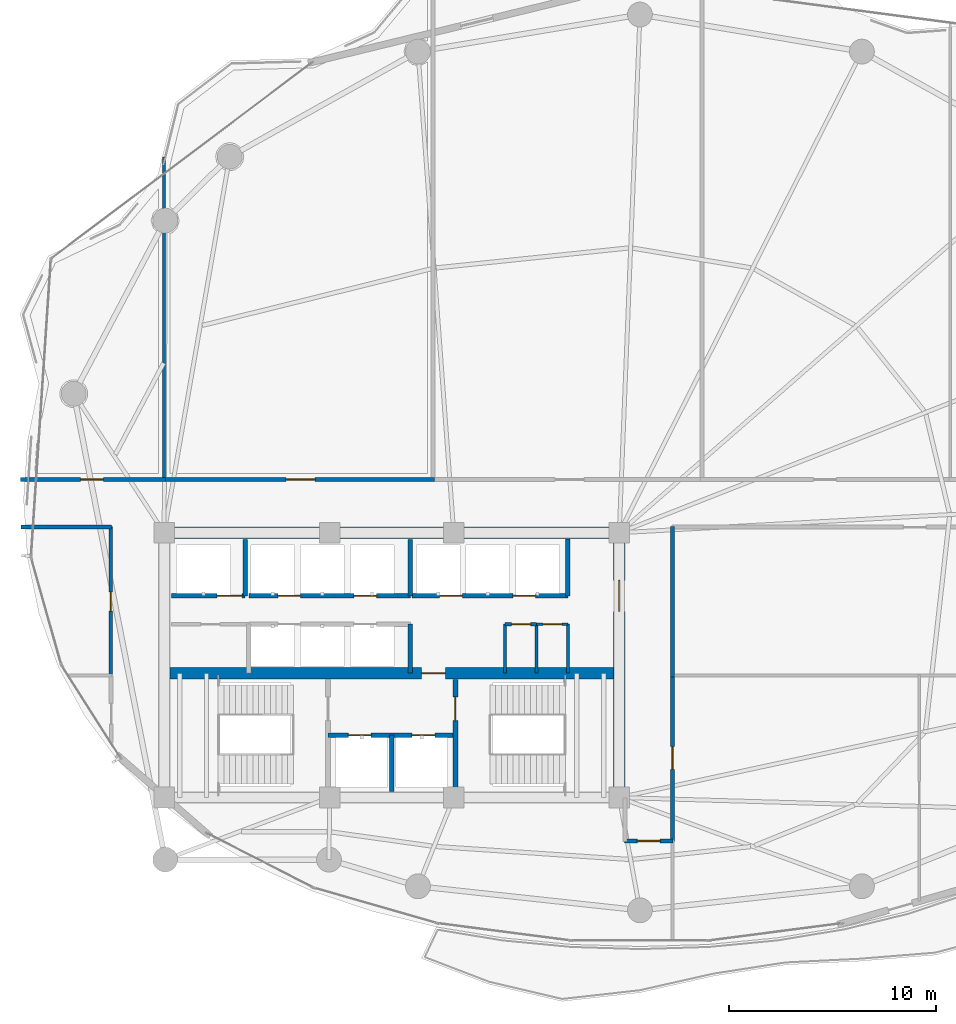
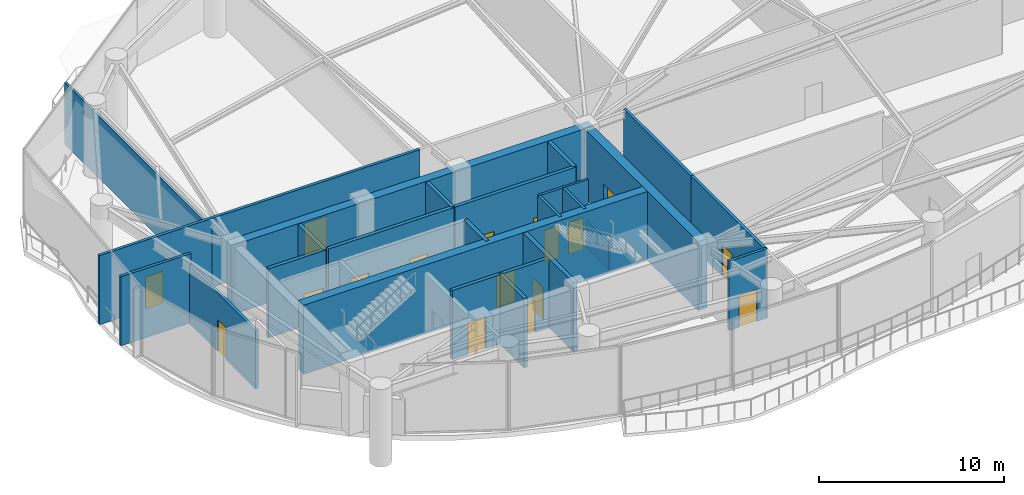
# One storey, part 25 of 30: 26 walls, 17 doors, 17 openings.
"""IFC4 building model written with IfcOpenShell, lengths in metres."""

from ifc_helpers import new_model, si_unit, direction, frame, frame_2d, origin, place, context, subcontext, project, spatial, rectangle, extrude, material, layer, layer_set, type_object, element, fill, save


model = new_model("IFC4")

# Units and contexts
model_context = context("Model", 3, precision=1e-05, world=origin(), true_north=direction((0.0, 1.0)))
body_context = subcontext(model_context, "Body", "Model", "MODEL_VIEW")
ifc_project = project(units=[si_unit("LENGTHUNIT", "METRE"), si_unit("AREAUNIT", "SQUARE_METRE"), si_unit("VOLUMEUNIT", "CUBIC_METRE"), si_unit("PLANEANGLEUNIT", "RADIAN"), si_unit("MASSUNIT", "GRAM", prefix="KILO")], contexts=[model_context])

# Site, building, storey
site_placement = place(None, origin())
site = spatial("IfcSite", under=ifc_project, at=site_placement, CompositionType="ELEMENT")
building_placement = place(site_placement, origin())
building = spatial("IfcBuilding", under=site, at=building_placement, Name="Kazevale Care Tower and Concert Hall", CompositionType="ELEMENT")
storey_placement = place(building_placement, frame((0.0, 0.0, 97.800048828125)))
storey = spatial("IfcBuildingStorey", under=building, at=storey_placement, Name="L25", CompositionType="ELEMENT", Elevation=97.800048828125)

# Wall
ifc_material_1 = material(Name="Acoustic Gypsum on Steel Stud", Category="steel")
ifc_layer_1 = layer(ifc_material_1, 0.139892578125)
ifc_layer_set_1 = layer_set([ifc_layer_1], Name="Acoustic Gypsum on Steel Stud")
wall_type_1 = type_object("IfcWallType", Name="Acoustic Care & Suite Partition 140", PredefinedType="PARTITIONING", material=ifc_layer_set_1)
wall_1_placement = place(storey_placement, frame((41.52001953125, 29.6201171875, 0.0), z_axis=(0.0, 0.0, 1.0), x_axis=(0.0, 1.0, 0.0)))
element("IfcWall", 1, at=wall_1_placement, inside=storey, type_object=wall_type_1, Name="wall:L25:ka_ee", PredefinedType="PARTITIONING", context=body_context, shape_type="SweptSolid", body=[
    extrude(rectangle(XDim=2.35986328125, YDim=0.139892578125, at=frame_2d((1.179931640625, 0.0))), origin(), (0.0, 0.0, 1.0), 1.886962890625),
])

# Wall, opening, door
wall_2_placement = place(storey_placement, frame((40.0, 31.97998046875, 0.0), z_axis=(0.0, 0.0, 1.0), x_axis=(1.0, 0.0, 0.0)))
wall_2 = element("IfcWall", 2, at=wall_2_placement, inside=storey, type_object=wall_type_1, Name="wall:L25:ka_en2", PredefinedType="PARTITIONING", context=body_context, shape_type="SweptSolid", body=[
    extrude(rectangle(XDim=1.52001953125, YDim=0.139892578125, at=frame_2d((0.760009765625, 0.0))), origin(), (0.0, 0.0, 1.0), 4.56005859375),
])
opening_1_placement = place(wall_2_placement, frame((0.320068359375, 0.0, 0.0)))
opening_1 = element("IfcOpeningElement", 3, at=opening_1_placement, cuts=wall_2, Name="Opening ID-900", PredefinedType="OPENING", context=body_context, shape_type="SweptSolid", body=[
    extrude(rectangle(XDim=0.919921875, YDim=2.10009765625, at=frame_2d((0.4599609375, 1.050048828125))), frame((0.0, 0.079833984375, 0.0), z_axis=(0.0, -1.0, 0.0), x_axis=(1.0, 0.0, 0.0)), (0.0, 0.0, 1.0), 0.159912109375),
])
ifc_material_2 = material(Name="Oak Timber Fire Leaf", Category="wood")
door_type_1 = type_object("IfcDoorType", Name="Bathroom & Service Door 920x2100", OperationType="NOTDEFINED", PredefinedType="DOOR", material=ifc_material_2)
door_1_placement = place(opening_1_placement, origin())
door_1 = element("IfcDoor", 4, at=door_1_placement, inside=storey, type_object=door_type_1, Name="door:L25:d_kae2", OperationType="SINGLE_SWING_RIGHT", OverallHeight=2.10009765625, OverallWidth=0.919921875, PredefinedType="DOOR", context=body_context, shape_type="SweptSolid", body=[
    extrude(rectangle(XDim=0.919921875, YDim=2.10009765625, at=frame_2d((0.4599609375, 1.050048828125))), frame((0.0, 0.02490234375, 0.0), z_axis=(0.0, -1.0, 0.0), x_axis=(1.0, 0.0, 0.0)), (0.0, 0.0, 1.0), 0.050048828125),
])
fill(opening_1, door_1)

# Walls
wall_3_placement = place(storey_placement, frame((22.0, 54.55810546875, 0.0), z_axis=(0.0, 0.0, 1.0), x_axis=(0.0, -1.0, 0.0)))
element("IfcWall", 5, at=wall_3_placement, inside=storey, type_object=wall_type_1, Name="wall:L25:auto_015", PredefinedType="PARTITIONING", context=body_context, shape_type="SweptSolid", body=[
    extrude(rectangle(XDim=15.613037109375, YDim=0.139892578125, at=frame_2d((7.806640625, 0.0))), origin(), (0.0, 0.0, 1.0), 4.08984375),
])
ifc_material_3 = material(Name="Concrete C60", Category="concrete")
ifc_layer_2 = layer(ifc_material_3, 0.550048828125)
ifc_layer_set_2 = layer_set([ifc_layer_2], Name="Concrete C60")
wall_type_2 = type_object("IfcWallType", Name="Core Shear Wall 550 C60", PredefinedType="SHEAR", material=ifc_layer_set_2)
wall_4_placement = place(storey_placement, frame((21.72509765625, 36.39990234375, 0.0), z_axis=(0.0, 0.0, 1.0), x_axis=(1.0, 0.0, 0.0)))
element("IfcWall", 6, at=wall_4_placement, inside=storey, type_object=wall_type_2, Name="wall:L25:core:N", PredefinedType="SHEAR", context=body_context, shape_type="SweptSolid", body=[
    extrude(rectangle(XDim=22.5498046875, YDim=0.550048828125, at=frame_2d((11.27490234375, 0.0))), origin(), (0.0, 0.0, 1.0), 4.56005859375),
])

# Wall, opening, door
wall_5_placement = place(storey_placement, frame((44.0, 23.875, 0.0), z_axis=(0.0, 0.0, 1.0), x_axis=(0.0, 1.0, 0.0)))
wall_5 = element("IfcWall", 7, at=wall_5_placement, inside=storey, type_object=wall_type_2, Name="wall:L25:core:E", PredefinedType="SHEAR", context=body_context, shape_type="SweptSolid", body=[
    extrude(rectangle(XDim=12.25, YDim=0.550048828125, at=frame_2d((6.125, 0.0))), origin(), (0.0, 0.0, 1.0), 4.56005859375),
])
opening_2_placement = place(wall_5_placement, frame((8.72509765625, 0.0, 0.0)))
opening_2 = element("IfcOpeningElement", 8, at=opening_2_placement, cuts=wall_5, Name="Opening FD-60D", PredefinedType="OPENING", context=body_context, shape_type="SweptSolid", body=[
    extrude(rectangle(XDim=1.5, YDim=2.14990234375, at=frame_2d((0.75, 1.074951171875))), frame((0.0, 0.284912109375, 0.0), z_axis=(0.0, -1.0, 0.0), x_axis=(1.0, 0.0, 0.0)), (0.0, 0.0, 1.0), 0.570068359375),
])
door_type_2 = type_object("IfcDoorType", Name="Double Lobby & Auditorium Fire Door 1500x2150", OperationType="NOTDEFINED", PredefinedType="DOOR", material=ifc_material_2)
door_2_placement = place(opening_2_placement, origin())
door_2 = element("IfcDoor", 9, at=door_2_placement, inside=storey, type_object=door_type_2, Name="door:L25:core_east_out", OperationType="DOUBLE_DOOR_SINGLE_SWING", OverallHeight=2.14990234375, OverallWidth=1.5, PredefinedType="DOOR", context=body_context, shape_type="SweptSolid", body=[
    extrude(rectangle(XDim=1.5, YDim=2.14990234375, at=frame_2d((0.75, 1.074951171875))), frame((0.0, 0.02490234375, 0.0), z_axis=(0.0, -1.0, 0.0), x_axis=(1.0, 0.0, 0.0)), (0.0, 0.0, 1.0), 0.050048828125),
])
fill(opening_2, door_2)

wall_6_placement = place(storey_placement, frame((22.27490234375, 29.60009765625, 0.0), z_axis=(0.0, 0.0, 1.0), x_axis=(1.0, 0.0, 0.0)))
wall_6 = element("IfcWall", 10, at=wall_6_placement, inside=storey, type_object=wall_type_2, Name="wall:L25:core:M", PredefinedType="SHEAR", context=body_context, shape_type="SweptSolid", body=[
    extrude(rectangle(XDim=21.4501953125, YDim=0.550048828125, at=frame_2d((10.72509765625, 0.0))), origin(), (0.0, 0.0, 1.0), 4.56005859375),
])
opening_3_placement = place(wall_6_placement, frame((12.175048828125, 0.0, 0.0)))
opening_3 = element("IfcOpeningElement", 11, at=opening_3_placement, cuts=wall_6, Name="Opening FD-90", PredefinedType="OPENING", context=body_context, shape_type="SweptSolid", body=[
    extrude(rectangle(XDim=1.14990234375, YDim=2.10009765625, at=frame_2d((0.574951171875, 1.050048828125))), frame((0.0, 0.284912109375, 0.0), z_axis=(0.0, -1.0, 0.0), x_axis=(1.0, 0.0, 0.0)), (0.0, 0.0, 1.0), 0.570068359375),
])
ifc_material_4 = material(Name="Steel ASTM A572 Gr 50", Category="steel")
door_type_3 = type_object("IfcDoorType", Name="Pressurized Stair & Lobby Fire Door 1150x2100", OperationType="NOTDEFINED", PredefinedType="DOOR", material=ifc_material_4)
door_3_placement = place(opening_3_placement, origin())
door_3 = element("IfcDoor", 12, at=door_3_placement, inside=storey, type_object=door_type_3, Name="door:L25:ff_to_pax", OperationType="SINGLE_SWING_LEFT", OverallHeight=2.10009765625, OverallWidth=1.14990234375, PredefinedType="DOOR", context=body_context, shape_type="SweptSolid", body=[
    extrude(rectangle(XDim=1.14990234375, YDim=2.10009765625, at=frame_2d((0.574951171875, 1.050048828125))), frame((0.0, 0.02490234375, 0.0), z_axis=(0.0, -1.0, 0.0), x_axis=(1.0, 0.0, 0.0)), (0.0, 0.0, 1.0), 0.050048828125),
])
fill(opening_3, door_3)

# Wall, openings, doors
ifc_material_5 = material(Name="Concrete C40", Category="concrete")
ifc_layer_3 = layer(ifc_material_5, 0.219970703125)
ifc_layer_set_3 = layer_set([ifc_layer_3], Name="Concrete C40")
wall_type_3 = type_object("IfcWallType", Name="Elevator Hoistway Shaft Wall 220", PredefinedType="SOLIDWALL", material=ifc_layer_set_3)
wall_7_placement = place(storey_placement, frame((29.919921875, 26.6201171875, 0.0), z_axis=(0.0, 0.0, 1.0), x_axis=(1.0, 0.0, 0.0)))
wall_7 = element("IfcWall", 13, at=wall_7_placement, inside=storey, type_object=wall_type_3, Name="wall:L25:c_ffl_n", PredefinedType="SOLIDWALL", context=body_context, shape_type="SweptSolid", body=[
    extrude(rectangle(XDim=6.16015625, YDim=0.219970703125, at=frame_2d((3.080078125, 0.0))), origin(), (0.0, 0.0, 1.0), 4.56005859375),
])
opening_4_placement = place(wall_7_placement, frame((0.989990234375, 0.0, 0.0)))
opening_4 = element("IfcOpeningElement", 14, at=opening_4_placement, cuts=wall_7, Name="Opening LD-FF", PredefinedType="OPENING", context=body_context, shape_type="SweptSolid", body=[
    extrude(rectangle(XDim=1.10009765625, YDim=2.10009765625, at=frame_2d((0.550048828125, 1.050048828125))), frame((0.0, 0.119873046875, 0.0), z_axis=(0.0, -1.0, 0.0), x_axis=(1.0, 0.0, 0.0)), (0.0, 0.0, 1.0), 0.239990234375),
])
opening_5_placement = place(wall_7_placement, frame((4.070068359375, 0.0, 0.0)))
opening_5 = element("IfcOpeningElement", 15, at=opening_5_placement, cuts=wall_7, Name="Opening LD-FF", PredefinedType="OPENING", context=body_context, shape_type="SweptSolid", body=[
    extrude(rectangle(XDim=1.10009765625, YDim=2.10009765625, at=frame_2d((0.550048828125, 1.050048828125))), frame((0.0, 0.119873046875, 0.0), z_axis=(0.0, -1.0, 0.0), x_axis=(1.0, 0.0, 0.0)), (0.0, 0.0, 1.0), 0.239990234375),
])
ifc_material_6 = material(Name="Stainless Steel 316", Category="steel")
door_type_4 = type_object("IfcDoorType", Name="Emergency Lift Sliding Landing Door 1100x2100", OperationType="NOTDEFINED", PredefinedType="DOOR", material=ifc_material_6)
door_4_placement = place(opening_4_placement, origin())
door_4 = element("IfcDoor", 16, at=door_4_placement, inside=storey, type_object=door_type_4, Name="door:L25:ld_ffl1", OperationType="SLIDING_TO_LEFT", OverallHeight=2.10009765625, OverallWidth=1.10009765625, PredefinedType="DOOR", context=body_context, shape_type="SweptSolid", body=[
    extrude(rectangle(XDim=1.10009765625, YDim=2.10009765625, at=frame_2d((0.550048828125, 1.050048828125))), frame((0.0, 0.02490234375, 0.0), z_axis=(0.0, -1.0, 0.0), x_axis=(1.0, 0.0, 0.0)), (0.0, 0.0, 1.0), 0.050048828125),
])
fill(opening_4, door_4)
door_5_placement = place(opening_5_placement, origin())
door_5 = element("IfcDoor", 17, at=door_5_placement, inside=storey, type_object=door_type_4, Name="door:L25:ld_ffl2", OperationType="SLIDING_TO_RIGHT", OverallHeight=2.10009765625, OverallWidth=1.10009765625, PredefinedType="DOOR", context=body_context, shape_type="SweptSolid", body=[
    extrude(rectangle(XDim=1.10009765625, YDim=2.10009765625, at=frame_2d((0.550048828125, 1.050048828125))), frame((0.0, 0.02490234375, 0.0), z_axis=(0.0, -1.0, 0.0), x_axis=(1.0, 0.0, 0.0)), (0.0, 0.0, 1.0), 0.050048828125),
])
fill(opening_5, door_5)

# Walls
wall_8_placement = place(storey_placement, frame((33.0, 23.89990234375, 0.0), z_axis=(0.0, 0.0, 1.0), x_axis=(0.0, 1.0, 0.0)))
element("IfcWall", 18, at=wall_8_placement, inside=storey, type_object=wall_type_3, Name="wall:L25:c_ffl_m", PredefinedType="SOLIDWALL", context=body_context, shape_type="SweptSolid", body=[
    extrude(rectangle(XDim=2.72021484375, YDim=0.219970703125, at=frame_2d((1.360107421875, 0.0))), origin(), (0.0, 0.0, 1.0), 4.56005859375),
])
wall_9_placement = place(storey_placement, frame((25.919921875, 33.35009765625, 0.0), z_axis=(0.0, 0.0, 1.0), x_axis=(0.0, 1.0, 0.0)))
element("IfcWall", 19, at=wall_9_placement, inside=storey, type_object=wall_type_3, Name="wall:L25:c_svl_e", PredefinedType="SOLIDWALL", context=body_context, shape_type="SweptSolid", body=[
    extrude(rectangle(XDim=2.72998046875, YDim=0.219970703125, at=frame_2d((1.364990234375, 0.0))), origin(), (0.0, 0.0, 1.0), 4.56005859375),
])

# Wall, opening, door
wall_10_placement = place(storey_placement, frame((22.35009765625, 33.35009765625, 0.0), z_axis=(0.0, 0.0, 1.0), x_axis=(1.0, 0.0, 0.0)))
wall_10 = element("IfcWall", 20, at=wall_10_placement, inside=storey, type_object=wall_type_3, Name="wall:L25:c_svl_s", PredefinedType="SOLIDWALL", context=body_context, shape_type="SweptSolid", body=[
    extrude(rectangle(XDim=3.56982421875, YDim=0.219970703125, at=frame_2d((1.784912109375, 0.0))), origin(), (0.0, 0.0, 1.0), 4.56005859375),
])
opening_6_placement = place(wall_10_placement, frame((2.212890625, 0.0, 0.0)))
opening_6 = element("IfcOpeningElement", 21, at=opening_6_placement, cuts=wall_10, Name="Opening LD-SV", PredefinedType="OPENING", context=body_context, shape_type="SweptSolid", body=[
    extrude(rectangle(XDim=1.199951171875, YDim=2.10009765625, at=frame_2d((0.60009765625, 1.050048828125))), frame((0.0, 0.119873046875, 0.0), z_axis=(0.0, -1.0, 0.0), x_axis=(1.0, 0.0, 0.0)), (0.0, 0.0, 1.0), 0.239990234375),
])
door_type_5 = type_object("IfcDoorType", Name="Service Lift Sliding Landing Door 1200x2100", OperationType="NOTDEFINED", PredefinedType="DOOR", material=ifc_material_6)
door_6_placement = place(opening_6_placement, origin())
door_6 = element("IfcDoor", 22, at=door_6_placement, inside=storey, type_object=door_type_5, Name="door:L25:ld_svl1", OperationType="SLIDING_TO_LEFT", OverallHeight=2.10009765625, OverallWidth=1.199951171875, PredefinedType="DOOR", context=body_context, shape_type="SweptSolid", body=[
    extrude(rectangle(XDim=1.199951171875, YDim=2.10009765625, at=frame_2d((0.60009765625, 1.050048828125))), frame((0.0, 0.02490234375, 0.0), z_axis=(0.0, -1.0, 0.0), x_axis=(1.0, 0.0, 0.0)), (0.0, 0.0, 1.0), 0.050048828125),
])
fill(opening_6, door_6)

# Wall
wall_11_placement = place(storey_placement, frame((33.89990234375, 29.6201171875, 0.0), z_axis=(0.0, 0.0, 1.0), x_axis=(0.0, 1.0, 0.0)))
element("IfcWall", 23, at=wall_11_placement, inside=storey, type_object=wall_type_3, Name="wall:L25:c_ph_e", PredefinedType="SOLIDWALL", context=body_context, shape_type="SweptSolid", body=[
    extrude(rectangle(XDim=2.35986328125, YDim=0.219970703125, at=frame_2d((1.179931640625, 0.0))), origin(), (0.0, 0.0, 1.0), 4.56005859375),
])

# Wall, openings, doors
wall_12_placement = place(storey_placement, frame((26.10009765625, 33.35009765625, 0.0), z_axis=(0.0, 0.0, 1.0), x_axis=(1.0, 0.0, 0.0)))
wall_12 = element("IfcWall", 24, at=wall_12_placement, inside=storey, type_object=wall_type_3, Name="wall:L25:c_pl_s", PredefinedType="SOLIDWALL", context=body_context, shape_type="SweptSolid", body=[
    extrude(rectangle(XDim=7.7998046875, YDim=0.219970703125, at=frame_2d((3.89990234375, 0.0))), origin(), (0.0, 0.0, 1.0), 4.56005859375),
])
opening_7_placement = place(wall_12_placement, frame((1.39990234375, 0.0, 0.0)))
opening_7 = element("IfcOpeningElement", 25, at=opening_7_placement, cuts=wall_12, Name="Opening LD-PAX", PredefinedType="OPENING", context=body_context, shape_type="SweptSolid", body=[
    extrude(rectangle(XDim=1.10009765625, YDim=2.10009765625, at=frame_2d((0.550048828125, 1.050048828125))), frame((0.0, 0.119873046875, 0.0), z_axis=(0.0, -1.0, 0.0), x_axis=(1.0, 0.0, 0.0)), (0.0, 0.0, 1.0), 0.239990234375),
])
opening_8_placement = place(wall_12_placement, frame((5.06591796875, 0.0, 0.0)))
opening_8 = element("IfcOpeningElement", 26, at=opening_8_placement, cuts=wall_12, Name="Opening LD-PAX", PredefinedType="OPENING", context=body_context, shape_type="SweptSolid", body=[
    extrude(rectangle(XDim=1.10009765625, YDim=2.10009765625, at=frame_2d((0.550048828125, 1.050048828125))), frame((0.0, 0.119873046875, 0.0), z_axis=(0.0, -1.0, 0.0), x_axis=(1.0, 0.0, 0.0)), (0.0, 0.0, 1.0), 0.239990234375),
])
door_type_6 = type_object("IfcDoorType", Name="Passenger Lift Sliding Landing Door 1100x2100", OperationType="NOTDEFINED", PredefinedType="DOOR", material=ifc_material_6)
door_7_placement = place(opening_7_placement, origin())
door_7 = element("IfcDoor", 27, at=door_7_placement, inside=storey, type_object=door_type_6, Name="door:L25:ld_pl1", OperationType="SLIDING_TO_LEFT", OverallHeight=2.10009765625, OverallWidth=1.10009765625, PredefinedType="DOOR", context=body_context, shape_type="SweptSolid", body=[
    extrude(rectangle(XDim=1.10009765625, YDim=2.10009765625, at=frame_2d((0.550048828125, 1.050048828125))), frame((0.0, 0.02490234375, 0.0), z_axis=(0.0, -1.0, 0.0), x_axis=(1.0, 0.0, 0.0)), (0.0, 0.0, 1.0), 0.050048828125),
])
fill(opening_7, door_7)
door_8_placement = place(opening_8_placement, origin())
door_8 = element("IfcDoor", 28, at=door_8_placement, inside=storey, type_object=door_type_6, Name="door:L25:ld_pl2", OperationType="SLIDING_TO_RIGHT", OverallHeight=2.10009765625, OverallWidth=1.10009765625, PredefinedType="DOOR", context=body_context, shape_type="SweptSolid", body=[
    extrude(rectangle(XDim=1.10009765625, YDim=2.10009765625, at=frame_2d((0.550048828125, 1.050048828125))), frame((0.0, 0.02490234375, 0.0), z_axis=(0.0, -1.0, 0.0), x_axis=(1.0, 0.0, 0.0)), (0.0, 0.0, 1.0), 0.050048828125),
])
fill(opening_8, door_8)

# Wall
wall_13_placement = place(storey_placement, frame((33.89990234375, 33.35009765625, 0.0), z_axis=(0.0, 0.0, 1.0), x_axis=(0.0, 1.0, 0.0)))
element("IfcWall", 29, at=wall_13_placement, inside=storey, type_object=wall_type_3, Name="wall:L25:c_pl_e", PredefinedType="SOLIDWALL", context=body_context, shape_type="SweptSolid", body=[
    extrude(rectangle(XDim=2.72998046875, YDim=0.219970703125, at=frame_2d((1.364990234375, 0.0))), origin(), (0.0, 0.0, 1.0), 4.56005859375),
])

# Wall, openings, doors
wall_14_placement = place(storey_placement, frame((33.97998046875, 33.35009765625, 0.0), z_axis=(0.0, 0.0, 1.0), x_axis=(1.0, 0.0, 0.0)))
wall_14 = element("IfcWall", 30, at=wall_14_placement, inside=storey, type_object=wall_type_3, Name="wall:L25:c_pm_s", PredefinedType="SOLIDWALL", context=body_context, shape_type="SweptSolid", body=[
    extrude(rectangle(XDim=7.5400390625, YDim=0.219970703125, at=frame_2d((3.77001953125, 0.0))), origin(), (0.0, 0.0, 1.0), 4.56005859375),
])
opening_9_placement = place(wall_14_placement, frame((1.3349609375, 0.0, 0.0)))
opening_9 = element("IfcOpeningElement", 31, at=opening_9_placement, cuts=wall_14, Name="Opening LD-PAX", PredefinedType="OPENING", context=body_context, shape_type="SweptSolid", body=[
    extrude(rectangle(XDim=1.10009765625, YDim=2.10009765625, at=frame_2d((0.550048828125, 1.050048828125))), frame((0.0, 0.119873046875, 0.0), z_axis=(0.0, -1.0, 0.0), x_axis=(1.0, 0.0, 0.0)), (0.0, 0.0, 1.0), 0.239990234375),
])
opening_10_placement = place(wall_14_placement, frame((4.87890625, 0.0, 0.0)))
opening_10 = element("IfcOpeningElement", 32, at=opening_10_placement, cuts=wall_14, Name="Opening LD-PAX", PredefinedType="OPENING", context=body_context, shape_type="SweptSolid", body=[
    extrude(rectangle(XDim=1.10009765625, YDim=2.10009765625, at=frame_2d((0.550048828125, 1.050048828125))), frame((0.0, 0.119873046875, 0.0), z_axis=(0.0, -1.0, 0.0), x_axis=(1.0, 0.0, 0.0)), (0.0, 0.0, 1.0), 0.239990234375),
])
door_9_placement = place(opening_9_placement, origin())
door_9 = element("IfcDoor", 33, at=door_9_placement, inside=storey, type_object=door_type_6, Name="door:L25:ld_pm1", OperationType="SLIDING_TO_LEFT", OverallHeight=2.10009765625, OverallWidth=1.10009765625, PredefinedType="DOOR", context=body_context, shape_type="SweptSolid", body=[
    extrude(rectangle(XDim=1.10009765625, YDim=2.10009765625, at=frame_2d((0.550048828125, 1.050048828125))), frame((0.0, 0.02490234375, 0.0), z_axis=(0.0, -1.0, 0.0), x_axis=(1.0, 0.0, 0.0)), (0.0, 0.0, 1.0), 0.050048828125),
])
fill(opening_9, door_9)
door_10_placement = place(opening_10_placement, origin())
door_10 = element("IfcDoor", 34, at=door_10_placement, inside=storey, type_object=door_type_6, Name="door:L25:ld_pm2", OperationType="SLIDING_TO_RIGHT", OverallHeight=2.10009765625, OverallWidth=1.10009765625, PredefinedType="DOOR", context=body_context, shape_type="SweptSolid", body=[
    extrude(rectangle(XDim=1.10009765625, YDim=2.10009765625, at=frame_2d((0.550048828125, 1.050048828125))), frame((0.0, 0.02490234375, 0.0), z_axis=(0.0, -1.0, 0.0), x_axis=(1.0, 0.0, 0.0)), (0.0, 0.0, 1.0), 0.050048828125),
])
fill(opening_10, door_10)

# Wall
wall_15_placement = place(storey_placement, frame((41.5, 33.35009765625, 0.0), z_axis=(0.0, 0.0, 1.0), x_axis=(0.0, 1.0, 0.0)))
element("IfcWall", 35, at=wall_15_placement, inside=storey, type_object=wall_type_3, Name="wall:L25:c_pm_e", PredefinedType="SOLIDWALL", context=body_context, shape_type="SweptSolid", body=[
    extrude(rectangle(XDim=2.75, YDim=0.219970703125, at=frame_2d((1.375, 0.0))), origin(), (0.0, 0.0, 1.0), 4.56005859375),
])

# Wall, opening, door
ifc_material_7 = material(Name="Concrete C40 and Acoustic Gypsum", Category="concrete")
ifc_layer_4 = layer(ifc_material_7, 0.179931640625)
ifc_layer_set_4 = layer_set([ifc_layer_4], Name="Concrete C40 and Acoustic Gypsum")
wall_type_4 = type_object("IfcWallType", Name="Fire-Rated Corridor & Party Wall 180", PredefinedType="PARTITIONING", material=ifc_layer_set_4)
wall_16_placement = place(storey_placement, frame((15.06494140625, 38.97509765625, 0.0), z_axis=(0.0, 0.0, 1.0), x_axis=(1.0, 0.0, 0.0)))
wall_16 = element("IfcWall", 36, at=wall_16_placement, inside=storey, type_object=wall_type_4, Name="wall:L25:auto_001", PredefinedType="PARTITIONING", context=body_context, shape_type="SweptSolid", body=[
    extrude(rectangle(XDim=7.0, YDim=0.179931640625, at=frame_2d((3.5, 0.0))), origin(), (0.0, 0.0, 1.0), 4.56005859375),
])
opening_11_placement = place(wall_16_placement, frame((2.89990234375, 0.0, 0.0)))
opening_11 = element("IfcOpeningElement", 37, at=opening_11_placement, cuts=wall_16, Name="Opening ID-1100", PredefinedType="OPENING", context=body_context, shape_type="SweptSolid", body=[
    extrude(rectangle(XDim=1.10009765625, YDim=2.10009765625, at=frame_2d((0.550048828125, 1.050048828125))), frame((0.0, 0.099853515625, 0.0), z_axis=(0.0, -1.0, 0.0), x_axis=(1.0, 0.0, 0.0)), (0.0, 0.0, 1.0), 0.199951171875),
])
door_type_7 = type_object("IfcDoorType", Name="Care Bedroom Accessible Door 1100x2100", OperationType="NOTDEFINED", PredefinedType="DOOR", material=ifc_material_2)
door_11_placement = place(opening_11_placement, origin())
door_11 = element("IfcDoor", 38, at=door_11_placement, inside=storey, type_object=door_type_7, Name="door:L25:ad_001", OperationType="SINGLE_SWING_LEFT", OverallHeight=2.10009765625, OverallWidth=1.10009765625, PredefinedType="DOOR", context=body_context, shape_type="SweptSolid", body=[
    extrude(rectangle(XDim=1.10009765625, YDim=2.10009765625, at=frame_2d((0.550048828125, 1.050048828125))), frame((0.0, 0.02490234375, 0.0), z_axis=(0.0, -1.0, 0.0), x_axis=(1.0, 0.0, 0.0)), (0.0, 0.0, 1.0), 0.050048828125),
])
fill(opening_11, door_11)

wall_17_placement = place(storey_placement, frame((21.93505859375, 38.97509765625, 0.0), z_axis=(0.0, 0.0, 1.0), x_axis=(1.0, 0.0, 0.0)))
wall_17 = element("IfcWall", 39, at=wall_17_placement, inside=storey, type_object=wall_type_4, Name="wall:L25:auto_002", PredefinedType="PARTITIONING", context=body_context, shape_type="SweptSolid", body=[
    extrude(rectangle(XDim=13.1298828125, YDim=0.179931640625, at=frame_2d((6.56494140625, 0.0))), origin(), (0.0, 0.0, 1.0), 4.56005859375),
])
opening_12_placement = place(wall_17_placement, frame((5.965087890625, 0.0, 0.0)))
opening_12 = element("IfcOpeningElement", 40, at=opening_12_placement, cuts=wall_17, Name="Opening ID-1400D", PredefinedType="OPENING", context=body_context, shape_type="SweptSolid", body=[
    extrude(rectangle(XDim=1.39990234375, YDim=2.14990234375, at=frame_2d((0.699951171875, 1.074951171875))), frame((0.0, 0.099853515625, 0.0), z_axis=(0.0, -1.0, 0.0), x_axis=(1.0, 0.0, 0.0)), (0.0, 0.0, 1.0), 0.199951171875),
])
door_type_8 = type_object("IfcDoorType", Name="Double Lounge & Clinic Door 1400x2150", OperationType="NOTDEFINED", PredefinedType="DOOR", material=ifc_material_2)
door_12_placement = place(opening_12_placement, origin())
door_12 = element("IfcDoor", 41, at=door_12_placement, inside=storey, type_object=door_type_8, Name="door:L25:ad_002", OperationType="SINGLE_SWING_LEFT", OverallHeight=2.14990234375, OverallWidth=1.39990234375, PredefinedType="DOOR", context=body_context, shape_type="SweptSolid", body=[
    extrude(rectangle(XDim=1.39990234375, YDim=2.14990234375, at=frame_2d((0.699951171875, 1.074951171875))), frame((0.0, 0.02490234375, 0.0), z_axis=(0.0, -1.0, 0.0), x_axis=(1.0, 0.0, 0.0)), (0.0, 0.0, 1.0), 0.050048828125),
])
fill(opening_12, door_12)

wall_18_placement = place(storey_placement, frame((46.574951171875, 29.56494140625, 0.0), z_axis=(0.0, 0.0, 1.0), x_axis=(0.0, -1.0, 0.0)))
wall_18 = element("IfcWall", 42, at=wall_18_placement, inside=storey, type_object=wall_type_4, Name="wall:L25:auto_006", PredefinedType="PARTITIONING", context=body_context, shape_type="SweptSolid", body=[
    extrude(rectangle(XDim=8.094970703125, YDim=0.179931640625, at=frame_2d((4.04736328125, 0.0))), origin(), (0.0, 0.0, 1.0), 4.56005859375),
])
opening_13_placement = place(wall_18_placement, frame((3.498046875, 0.0, 0.0)))
opening_13 = element("IfcOpeningElement", 43, at=opening_13_placement, cuts=wall_18, Name="Opening ID-1100", PredefinedType="OPENING", context=body_context, shape_type="SweptSolid", body=[
    extrude(rectangle(XDim=1.10009765625, YDim=2.10009765625, at=frame_2d((0.550048828125, 1.050048828125))), frame((0.0, 0.099853515625, 0.0), z_axis=(0.0, -1.0, 0.0), x_axis=(1.0, 0.0, 0.0)), (0.0, 0.0, 1.0), 0.199951171875),
])
door_13_placement = place(opening_13_placement, origin())
door_13 = element("IfcDoor", 44, at=door_13_placement, inside=storey, type_object=door_type_7, Name="door:L25:ad_006", OperationType="SINGLE_SWING_LEFT", OverallHeight=2.10009765625, OverallWidth=1.10009765625, PredefinedType="DOOR", context=body_context, shape_type="SweptSolid", body=[
    extrude(rectangle(XDim=1.10009765625, YDim=2.10009765625, at=frame_2d((0.550048828125, 1.050048828125))), frame((0.0, 0.02490234375, 0.0), z_axis=(0.0, -1.0, 0.0), x_axis=(1.0, 0.0, 0.0)), (0.0, 0.0, 1.0), 0.050048828125),
])
fill(opening_13, door_13)

# Wall
wall_19_placement = place(storey_placement, frame((46.574951171875, 36.705078125, 0.0), z_axis=(0.0, 0.0, 1.0), x_axis=(0.0, -1.0, 0.0)))
element("IfcWall", 45, at=wall_19_placement, inside=storey, type_object=wall_type_4, Name="wall:L25:auto_008", PredefinedType="PARTITIONING", context=body_context, shape_type="SweptSolid", body=[
    extrude(rectangle(XDim=7.27001953125, YDim=0.179931640625, at=frame_2d((3.635009765625, 0.0))), origin(), (0.0, 0.0, 1.0), 4.56005859375),
])

# Wall, opening, door
wall_20_placement = place(storey_placement, frame((46.60498046875, 21.5, 0.0), z_axis=(0.0, 0.0, 1.0), x_axis=(-1.0, 0.0, 0.0)))
wall_20 = element("IfcWall", 46, at=wall_20_placement, inside=storey, type_object=wall_type_4, Name="wall:L25:auto_010", PredefinedType="PARTITIONING", context=body_context, shape_type="SweptSolid", body=[
    extrude(rectangle(XDim=2.35986328125, YDim=0.179931640625, at=frame_2d((1.179931640625, 0.0))), origin(), (0.0, 0.0, 1.0), 4.56005859375),
])
opening_14_placement = place(wall_20_placement, frame((0.6298828125, 0.0, 0.0)))
opening_14 = element("IfcOpeningElement", 47, at=opening_14_placement, cuts=wall_20, Name="Opening ID-1100", PredefinedType="OPENING", context=body_context, shape_type="SweptSolid", body=[
    extrude(rectangle(XDim=1.10009765625, YDim=2.10009765625, at=frame_2d((0.550048828125, 1.050048828125))), frame((0.0, 0.099853515625, 0.0), z_axis=(0.0, -1.0, 0.0), x_axis=(1.0, 0.0, 0.0)), (0.0, 0.0, 1.0), 0.199951171875),
])
door_14_placement = place(opening_14_placement, origin())
door_14 = element("IfcDoor", 48, at=door_14_placement, inside=storey, type_object=door_type_7, Name="door:L25:ad_010", OperationType="SINGLE_SWING_LEFT", OverallHeight=2.10009765625, OverallWidth=1.10009765625, PredefinedType="DOOR", context=body_context, shape_type="SweptSolid", body=[
    extrude(rectangle(XDim=1.10009765625, YDim=2.10009765625, at=frame_2d((0.550048828125, 1.050048828125))), frame((0.0, 0.02490234375, 0.0), z_axis=(0.0, -1.0, 0.0), x_axis=(1.0, 0.0, 0.0)), (0.0, 0.0, 1.0), 0.050048828125),
])
fill(opening_14, door_14)

wall_21_placement = place(storey_placement, frame((19.425048828125, 29.43505859375, 0.0), z_axis=(0.0, 0.0, 1.0), x_axis=(0.0, 1.0, 0.0)))
wall_21 = element("IfcWall", 49, at=wall_21_placement, inside=storey, type_object=wall_type_4, Name="wall:L25:auto_012", PredefinedType="PARTITIONING", context=body_context, shape_type="SweptSolid", body=[
    extrude(rectangle(XDim=7.27001953125, YDim=0.179931640625, at=frame_2d((3.635009765625, 0.0))), origin(), (0.0, 0.0, 1.0), 3.85693359375),
])
opening_15_placement = place(wall_21_placement, frame((3.175048828125, 0.0, 0.0)))
opening_15 = element("IfcOpeningElement", 50, at=opening_15_placement, cuts=wall_21, Name="Opening ID-900", PredefinedType="OPENING", context=body_context, shape_type="SweptSolid", body=[
    extrude(rectangle(XDim=0.919921875, YDim=2.10009765625, at=frame_2d((0.4599609375, 1.050048828125))), frame((0.0, 0.099853515625, 0.0), z_axis=(0.0, -1.0, 0.0), x_axis=(1.0, 0.0, 0.0)), (0.0, 0.0, 1.0), 0.199951171875),
])
door_15_placement = place(opening_15_placement, origin())
door_15 = element("IfcDoor", 51, at=door_15_placement, inside=storey, type_object=door_type_1, Name="door:L25:ad_012", OperationType="SINGLE_SWING_LEFT", OverallHeight=2.10009765625, OverallWidth=0.919921875, PredefinedType="DOOR", context=body_context, shape_type="SweptSolid", body=[
    extrude(rectangle(XDim=0.919921875, YDim=2.10009765625, at=frame_2d((0.4599609375, 1.050048828125))), frame((0.0, 0.02490234375, 0.0), z_axis=(0.0, -1.0, 0.0), x_axis=(1.0, 0.0, 0.0)), (0.0, 0.0, 1.0), 0.050048828125),
])
fill(opening_15, door_15)

# Walls
wall_22_placement = place(storey_placement, frame((19.455078125, 36.675048828125, 0.0), z_axis=(0.0, 0.0, 1.0), x_axis=(-1.0, 0.0, 0.0)))
element("IfcWall", 52, at=wall_22_placement, inside=storey, type_object=wall_type_4, Name="wall:L25:auto_013", PredefinedType="PARTITIONING", context=body_context, shape_type="SweptSolid", body=[
    extrude(rectangle(XDim=4.365966796875, YDim=0.179931640625, at=frame_2d((2.18310546875, 0.0))), origin(), (0.0, 0.0, 1.0), 4.56005859375),
])
ifc_layer_5 = layer(ifc_material_1, 0.159912109375)
ifc_layer_set_5 = layer_set([ifc_layer_5], Name="Acoustic Gypsum on Steel Stud")
wall_type_5 = type_object("IfcWallType", Name="Moisture-Resistant Bathroom Plumbing Wall 160", PredefinedType="PLUMBINGWALL", material=ifc_layer_set_5)
for number, where, z_axis, x_axis, name in (
    (53, (38.47998046875, 29.6201171875, 0.0), (0.0, 0.0, 1.0), (0.0, 1.0, 0.0), "wall:L25:ka_ew"),
    (54, (40.0, 29.6201171875, 0.0), (0.0, 0.0, 1.0), (0.0, 1.0, 0.0), "wall:L25:ka_em"),
):
    element("IfcWall", number, at=place(storey_placement, frame(where, z_axis=z_axis, x_axis=x_axis)), inside=storey, type_object=wall_type_5, Name=name, PredefinedType="PLUMBINGWALL", context=body_context, shape_type="SweptSolid", body=[
        extrude(rectangle(XDim=2.35986328125, YDim=0.159912109375, at=frame_2d((1.179931640625, 0.0))), origin(), (0.0, 0.0, 1.0), 4.56005859375),
    ])

# Wall, opening, door
wall_23_placement = place(storey_placement, frame((38.47998046875, 31.97998046875, 0.0), z_axis=(0.0, 0.0, 1.0), x_axis=(1.0, 0.0, 0.0)))
wall_23 = element("IfcWall", 55, at=wall_23_placement, inside=storey, type_object=wall_type_5, Name="wall:L25:ka_en1", PredefinedType="PLUMBINGWALL", context=body_context, shape_type="SweptSolid", body=[
    extrude(rectangle(XDim=1.52001953125, YDim=0.159912109375, at=frame_2d((0.760009765625, 0.0))), origin(), (0.0, 0.0, 1.0), 4.56005859375),
])
opening_16_placement = place(wall_23_placement, frame((0.320068359375, 0.0, 0.0)))
opening_16 = element("IfcOpeningElement", 56, at=opening_16_placement, cuts=wall_23, Name="Opening ID-900", PredefinedType="OPENING", context=body_context, shape_type="SweptSolid", body=[
    extrude(rectangle(XDim=0.919921875, YDim=2.10009765625, at=frame_2d((0.4599609375, 1.050048828125))), frame((0.0, 0.08984375, 0.0), z_axis=(0.0, -1.0, 0.0), x_axis=(1.0, 0.0, 0.0)), (0.0, 0.0, 1.0), 0.179931640625),
])
door_16_placement = place(opening_16_placement, origin())
door_16 = element("IfcDoor", 57, at=door_16_placement, inside=storey, type_object=door_type_1, Name="door:L25:d_kae1", OperationType="SINGLE_SWING_LEFT", OverallHeight=2.10009765625, OverallWidth=0.919921875, PredefinedType="DOOR", context=body_context, shape_type="SweptSolid", body=[
    extrude(rectangle(XDim=0.919921875, YDim=2.10009765625, at=frame_2d((0.4599609375, 1.050048828125))), frame((0.0, 0.02490234375, 0.0), z_axis=(0.0, -1.0, 0.0), x_axis=(1.0, 0.0, 0.0)), (0.0, 0.0, 1.0), 0.050048828125),
])
fill(opening_16, door_16)

ifc_layer_6 = layer(ifc_material_5, 0.25)
ifc_layer_set_6 = layer_set([ifc_layer_6], Name="Concrete C40")
wall_type_6 = type_object("IfcWallType", Name="Pressurized Stair Shaft Wall 250", PredefinedType="SOLIDWALL", material=ifc_layer_set_6)
wall_24_placement = place(storey_placement, frame((36.080078125, 23.89990234375, 0.0), z_axis=(0.0, 0.0, 1.0), x_axis=(0.0, 1.0, 0.0)))
wall_24 = element("IfcWall", 58, at=wall_24_placement, inside=storey, type_object=wall_type_6, Name="wall:L25:c_st2_w", PredefinedType="SOLIDWALL", context=body_context, shape_type="SweptSolid", body=[
    extrude(rectangle(XDim=5.400146484375, YDim=0.25, at=frame_2d((2.7001953125, 0.0))), origin(), (0.0, 0.0, 1.0), 4.56005859375),
])
opening_17_placement = place(wall_24_placement, frame((3.4208984375, 0.0, 0.0)))
opening_17 = element("IfcOpeningElement", 59, at=opening_17_placement, cuts=wall_24, Name="Opening FD-90", PredefinedType="OPENING", context=body_context, shape_type="SweptSolid", body=[
    extrude(rectangle(XDim=1.14990234375, YDim=2.10009765625, at=frame_2d((0.574951171875, 1.050048828125))), frame((0.0, 0.135009765625, 0.0), z_axis=(0.0, -1.0, 0.0), x_axis=(1.0, 0.0, 0.0)), (0.0, 0.0, 1.0), 0.27001953125),
])
door_17_placement = place(opening_17_placement, origin())
door_17 = element("IfcDoor", 60, at=door_17_placement, inside=storey, type_object=door_type_3, Name="door:L25:st2", OperationType="SINGLE_SWING_LEFT", OverallHeight=2.10009765625, OverallWidth=1.14990234375, PredefinedType="DOOR", context=body_context, shape_type="SweptSolid", body=[
    extrude(rectangle(XDim=1.14990234375, YDim=2.10009765625, at=frame_2d((0.574951171875, 1.050048828125))), frame((0.0, 0.02490234375, 0.0), z_axis=(0.0, -1.0, 0.0), x_axis=(1.0, 0.0, 0.0)), (0.0, 0.0, 1.0), 0.050048828125),
])
fill(opening_17, door_17)

save(model, "model.ifc")
